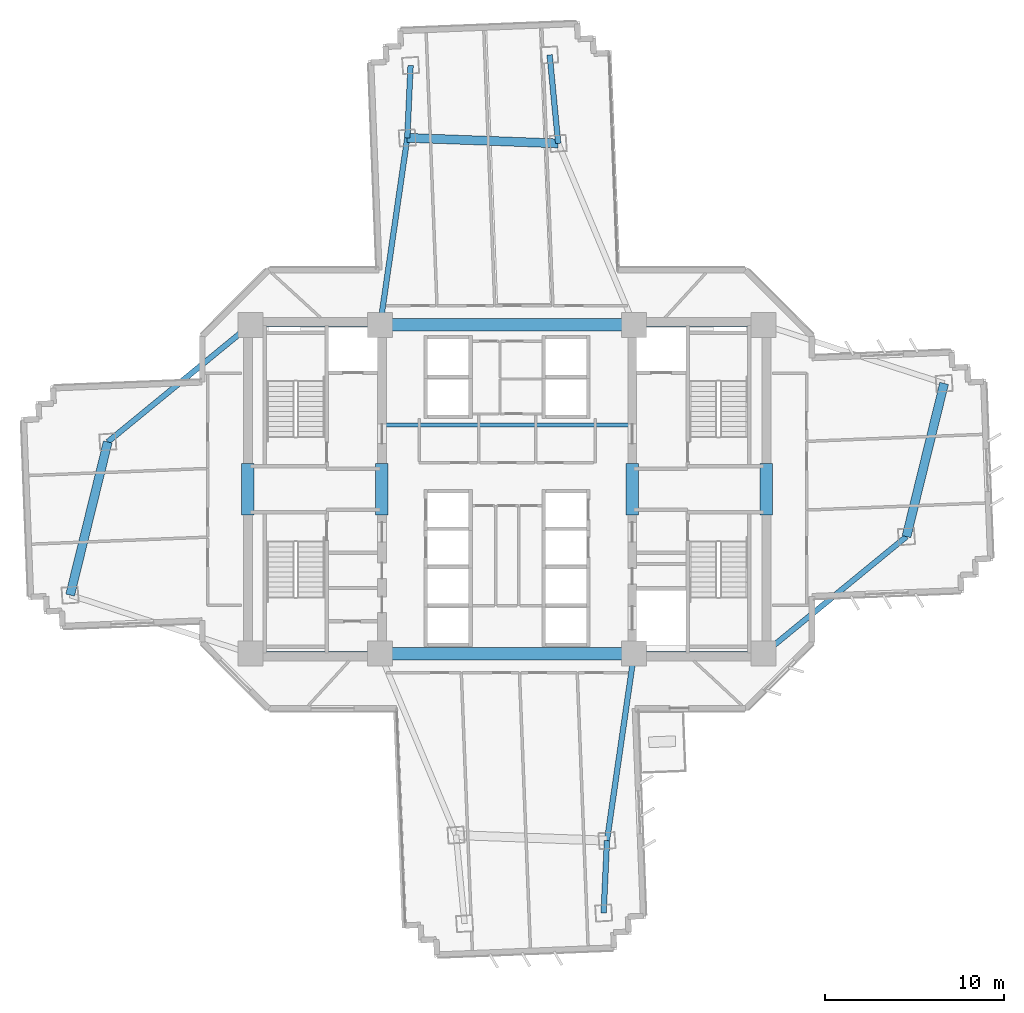
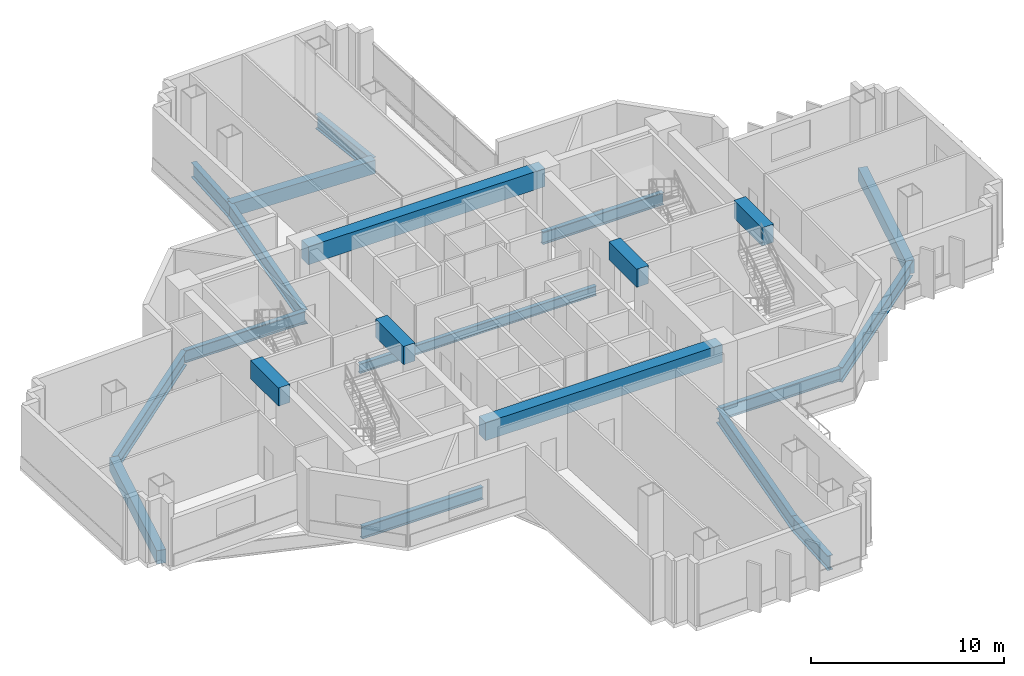
# One storey, part 3 of 16: 21 beams.
"""IFC4 building model written with IfcOpenShell, lengths in metres."""

from ifc_helpers import new_model, si_unit, direction, frame, origin, origin_2d, place, context, subcontext, project, spatial, rectangle, i_section, extrude, source, transform, mapped, material, material_profile, profile_set, type_object, element, save


model = new_model("IFC4")

# Units and contexts
model_context = context("Model", 3, precision=1e-05, world=origin(), true_north=direction((0.0, 1.0)))
body_context = subcontext(model_context, "Body", "Model", "MODEL_VIEW")
ifc_project = project(units=[si_unit("LENGTHUNIT", "METRE"), si_unit("AREAUNIT", "SQUARE_METRE"), si_unit("VOLUMEUNIT", "CUBIC_METRE"), si_unit("PLANEANGLEUNIT", "RADIAN"), si_unit("MASSUNIT", "GRAM", prefix="KILO")], contexts=[model_context])

# Site, building, storey
site_placement = place(None, origin())
site = spatial("IfcSite", under=ifc_project, at=site_placement, CompositionType="ELEMENT")
building_placement = place(site_placement, origin())
building = spatial("IfcBuilding", under=site, at=building_placement, Name="Zahravan Cultural Tower", CompositionType="ELEMENT")
storey_placement = place(building_placement, frame((0.0, 0.0, 54.300048828125)))
storey = spatial("IfcBuildingStorey", under=building, at=storey_placement, Name="L11", CompositionType="ELEMENT", Elevation=54.300048828125)

# Beams
ifc_material_1 = material(Name="Concrete C50/60", Category="concrete")
ifc_material_profile_1 = material_profile(ifc_material_1, rectangle(XDim=0.699951171875, YDim=1.14990234375, at=origin_2d()), Name="RC700X1150")
ifc_profile_set_1 = profile_set([ifc_material_profile_1], Name="Concrete C50/60")
beam_type_1 = type_object("IfcBeamType", Name="BM-LN-RC700X1150", PredefinedType="LINTEL", material=ifc_profile_set_1)
shared_shape_1 = source(origin(), body_context, "Body", "SweptSolid", [
    extrude(rectangle(XDim=0.699951171875, YDim=1.14990234375, at=origin_2d()), origin(), (0.0, 0.0, 1.0), 14.2001953125),
])
for number, where, z_axis, x_axis, name in (
    (1, (28.89990234375, 17.800048828125, 3.375), (1.0, 0.0, 0.0), (0.0, 1.0, 0.0), "L11 Beam LN-L11-S"),
    (2, (28.89990234375, 36.199951171875, 3.375), (1.0, 0.0, 0.0), (0.0, 1.0, 0.0), "L11 Beam LN-L11-N"),
):
    element("IfcBeam", number, at=place(storey_placement, frame(where, z_axis=z_axis, x_axis=x_axis)), inside=storey, type_object=beam_type_1, Name=name, PredefinedType="LINTEL", context=body_context, shape_type="MappedRepresentation", body=[
        mapped(shared_shape_1, transform((0.0, 0.0, 0.0), x_axis=(1.0, 0.0, 0.0), y_axis=(0.0, 1.0, 0.0), z_axis=(0.0, 0.0, 1.0), scale=1.0)),
    ])
shared_shape_2 = source(origin(), body_context, "Body", "SweptSolid", [
    extrude(rectangle(XDim=0.699951171875, YDim=1.14990234375, at=origin_2d()), origin(), (0.0, 0.0, 1.0), 2.89990234375),
])
for number, where, z_axis, x_axis, name in (
    (3, (21.5, 25.550048828125, 3.375), (0.0, 1.0, 0.0), (-1.0, 0.0, 0.0), "L11 Beam LN-L11-PWW"),
    (4, (29.0, 25.550048828125, 3.375), (0.0, 1.0, 0.0), (-1.0, 0.0, 0.0), "L11 Beam LN-L11-PWE"),
    (5, (43.0, 25.550048828125, 3.375), (0.0, 1.0, 0.0), (-1.0, 0.0, 0.0), "L11 Beam LN-L11-PEW"),
    (6, (50.5, 25.550048828125, 3.375), (0.0, 1.0, 0.0), (-1.0, 0.0, 0.0), "L11 Beam LN-L11-PEE"),
):
    element("IfcBeam", number, at=place(storey_placement, frame(where, z_axis=z_axis, x_axis=x_axis)), inside=storey, type_object=beam_type_1, Name=name, PredefinedType="LINTEL", context=body_context, shape_type="MappedRepresentation", body=[
        mapped(shared_shape_2, transform((0.0, 0.0, 0.0), x_axis=(1.0, 0.0, 0.0), y_axis=(0.0, 1.0, 0.0), z_axis=(0.0, 0.0, 1.0), scale=1.0)),
    ])
ifc_material_2 = material(Name="Steel ASTM A992 Grade 50", Category="steel")
ifc_material_profile_2 = material_profile(ifc_material_2, i_section(OverallWidth=0.26611328125, OverallDepth=0.780029296875, WebThickness=0.0166015625, FlangeThickness=0.030029296875, FilletRadius=0.01904296875, at=origin_2d()), Name="W30X148")
ifc_profile_set_2 = profile_set([ifc_material_profile_2], Name="Steel ASTM A992 Grade 50")
beam_type_2 = type_object("IfcBeamType", Name="BM-G-W30X148", PredefinedType="BEAM", material=ifc_profile_set_2)
shared_shape_3 = source(origin(), body_context, "Body", "SweptSolid", [
    extrude(i_section(OverallWidth=0.26611328125, OverallDepth=0.780029296875, WebThickness=0.0166015625, FlangeThickness=0.030029296875, FilletRadius=0.01904296875, at=origin_2d()), origin(), (0.0, 0.0, 1.0), 7.25),
])
for number, where, z_axis, x_axis, name in (
    (7, (21.64990234375, 17.800048828125, -0.64013671875), (1.0, 0.0, 0.0), (0.0, 1.0, 0.0), "L11 Beam BG-L11-01"),
    (8, (21.64990234375, 36.199951171875, -0.64013671875), (1.0, 0.0, 0.0), (0.0, 1.0, 0.0), "L11 Beam BG-L11-02"),
    (9, (43.10009765625, 17.800048828125, -0.64013671875), (1.0, 0.0, 0.0), (0.0, 1.0, 0.0), "L11 Beam BG-L11-04"),
    (10, (43.10009765625, 36.199951171875, -0.64013671875), (1.0, 0.0, 0.0), (0.0, 1.0, 0.0), "L11 Beam BG-L11-05"),
):
    element("IfcBeam", number, at=place(storey_placement, frame(where, z_axis=z_axis, x_axis=x_axis)), inside=storey, type_object=beam_type_2, Name=name, PredefinedType="BEAM", context=body_context, shape_type="MappedRepresentation", body=[
        mapped(shared_shape_3, transform((0.0, 0.0, 0.0), x_axis=(1.0, 0.0, 0.0), y_axis=(0.0, 1.0, 0.0), z_axis=(0.0, 0.0, 1.0), scale=1.0)),
    ])
ifc_material_profile_3 = material_profile(ifc_material_2, i_section(OverallWidth=0.30908203125, OverallDepth=0.931884765625, WebThickness=0.02099609375, FlangeThickness=0.034423828125, FilletRadius=0.02392578125, at=origin_2d()), Name="W36X210")
ifc_profile_set_3 = profile_set([ifc_material_profile_3], Name="Steel ASTM A992 Grade 50")
beam_type_3 = type_object("IfcBeamType", Name="BM-G-W36X210", PredefinedType="BEAM", material=ifc_profile_set_3)
shared_shape_4 = source(origin(), body_context, "Body", "SweptSolid", [
    extrude(i_section(OverallWidth=0.30908203125, OverallDepth=0.931884765625, WebThickness=0.02099609375, FlangeThickness=0.034423828125, FilletRadius=0.02392578125, at=origin_2d()), origin(), (0.0, 0.0, 1.0), 10.5673828125),
])
for number, where, z_axis, x_axis, name in (
    (11, (43.10009765625, 17.800048828125, -0.716064453125), (-0.143377913539, -0.989668011966, 0.0), (0.989668011966, -0.143377913539, 0.0), "L11 Beam BG-L11-09"),
    (12, (28.89990234375, 36.199951171875, -0.716064453125), (0.143377913539, 0.989668011966, 0.0), (-0.989668011966, 0.143377913539, 0.0), "L11 Beam BG-L11-13"),
):
    element("IfcBeam", number, at=place(storey_placement, frame(where, z_axis=z_axis, x_axis=x_axis)), inside=storey, type_object=beam_type_3, Name=name, PredefinedType="BEAM", context=body_context, shape_type="MappedRepresentation", body=[
        mapped(shared_shape_4, transform((0.0, 0.0, 0.0), x_axis=(1.0, 0.0, 0.0), y_axis=(0.0, 1.0, 0.0), z_axis=(0.0, 0.0, 1.0), scale=1.0)),
    ])
shared_shape_5 = source(origin(), body_context, "Body", "SweptSolid", [
    extrude(i_section(OverallWidth=0.30908203125, OverallDepth=0.931884765625, WebThickness=0.02099609375, FlangeThickness=0.034423828125, FilletRadius=0.02392578125, at=origin_2d()), origin(), (0.0, 0.0, 1.0), 10.33203125),
])
for number, where, z_axis, x_axis, name in (
    (13, (50.35009765625, 17.800048828125, -0.716064453125), (0.773231409473, 0.634123952713, 0.0), (-0.634123952713, 0.773231409473, 0.0), "L11 Beam BG-L11-10"),
    (14, (21.64990234375, 36.199951171875, -0.716064453125), (-0.773231409473, -0.634123952713, 0.0), (0.634123952713, -0.773231409473, 0.0), "L11 Beam BG-L11-14"),
):
    element("IfcBeam", number, at=place(storey_placement, frame(where, z_axis=z_axis, x_axis=x_axis)), inside=storey, type_object=beam_type_3, Name=name, PredefinedType="BEAM", context=body_context, shape_type="MappedRepresentation", body=[
        mapped(shared_shape_5, transform((0.0, 0.0, 0.0), x_axis=(1.0, 0.0, 0.0), y_axis=(0.0, 1.0, 0.0), z_axis=(0.0, 0.0, 1.0), scale=1.0)),
    ])
shared_shape_6 = source(origin(), body_context, "Body", "SweptSolid", [
    extrude(i_section(OverallWidth=0.30908203125, OverallDepth=0.931884765625, WebThickness=0.02099609375, FlangeThickness=0.034423828125, FilletRadius=0.02392578125, at=origin_2d()), origin(), (0.0, 0.0, 1.0), 4.973876953125),
])
beam_1_placement = place(storey_placement, frame((38.857421875, 46.346435546875, -0.716064453125), z_axis=(-0.096154779131, 0.995366394073, 0.0), x_axis=(-0.995366394073, -0.096154779131, 0.0)))
element("IfcBeam", 15, at=beam_1_placement, inside=storey, type_object=beam_type_3, Name="L11 Beam BG-L11-15", PredefinedType="BEAM", context=body_context, shape_type="MappedRepresentation", body=[
    mapped(shared_shape_6, transform((0.0, 0.0, 0.0), x_axis=(1.0, 0.0, 0.0), y_axis=(0.0, 1.0, 0.0), z_axis=(0.0, 0.0, 1.0), scale=1.0)),
])
shared_shape_7 = source(origin(), body_context, "Body", "SweptSolid", [
    extrude(i_section(OverallWidth=0.30908203125, OverallDepth=0.931884765625, WebThickness=0.02099609375, FlangeThickness=0.034423828125, FilletRadius=0.02392578125, at=origin_2d()), origin(), (0.0, 0.0, 1.0), 4.0537109375),
])
for number, where, z_axis, x_axis, name in (
    (16, (30.4150390625, 46.658203125, -0.716064453125), (0.045770994677, 0.998951958828, 0.0), (-0.998951958828, 0.045770994677, 0.0), "L11 Beam BG-L11-16"),
    (17, (41.5849609375, 7.341796875, -0.716064453125), (-0.045770994677, -0.998951958828, 0.0), (0.998951958828, -0.045770994677, 0.0), "L11 Beam BG-L11-18"),
):
    element("IfcBeam", number, at=place(storey_placement, frame(where, z_axis=z_axis, x_axis=x_axis)), inside=storey, type_object=beam_type_3, Name=name, PredefinedType="BEAM", context=body_context, shape_type="MappedRepresentation", body=[
        mapped(shared_shape_7, transform((0.0, 0.0, 0.0), x_axis=(1.0, 0.0, 0.0), y_axis=(0.0, 1.0, 0.0), z_axis=(0.0, 0.0, 1.0), scale=1.0)),
    ])
ifc_material_profile_4 = material_profile(ifc_material_1, rectangle(XDim=0.5, YDim=0.85009765625, at=origin_2d()), Name="RC500X850")
ifc_profile_set_4 = profile_set([ifc_material_profile_4], Name="Concrete C50/60")
beam_type_4 = type_object("IfcBeamType", Name="BM-SP-RC500X850", PredefinedType="SPANDREL", material=ifc_profile_set_4)
shared_shape_8 = source(origin(), body_context, "Body", "SweptSolid", [
    extrude(rectangle(XDim=0.5, YDim=0.85009765625, at=origin_2d()), origin(), (0.0, 0.0, 1.0), 8.4482421875),
])
beam_2_placement = place(storey_placement, frame((38.857421875, 46.346435546875, -0.675048828125), z_axis=(-0.999318826256, 0.036903705643, 0.0), x_axis=(-0.036903705643, -0.999318826256, 0.0)))
element("IfcBeam", 18, at=beam_2_placement, inside=storey, type_object=beam_type_4, Name="L11 Beam SP-L11-21", PredefinedType="SPANDREL", context=body_context, shape_type="MappedRepresentation", body=[
    mapped(shared_shape_8, transform((0.0, 0.0, 0.0), x_axis=(1.0, 0.0, 0.0), y_axis=(0.0, 1.0, 0.0), z_axis=(0.0, 0.0, 1.0), scale=1.0)),
])
shared_shape_9 = source(origin(), body_context, "Body", "SweptSolid", [
    extrude(rectangle(XDim=0.5, YDim=0.85009765625, at=origin_2d()), origin(), (0.0, 0.0, 1.0), 8.8232421875),
])
for number, where, z_axis, x_axis, name in (
    (19, (58.339111328125, 24.351806640625, -0.675048828125), (0.238848860516, 0.971056755206, 0.0), (-0.971056755206, 0.238848860516, 0.0), "L11 Beam SP-L11-20"),
    (20, (13.660888671875, 29.648193359375, -0.675048828125), (-0.238848860516, -0.971056755206, 0.0), (0.971056755206, -0.238848860516, 0.0), "L11 Beam SP-L11-22"),
):
    element("IfcBeam", number, at=place(storey_placement, frame(where, z_axis=z_axis, x_axis=x_axis)), inside=storey, type_object=beam_type_4, Name=name, PredefinedType="SPANDREL", context=body_context, shape_type="MappedRepresentation", body=[
        mapped(shared_shape_9, transform((0.0, 0.0, 0.0), x_axis=(1.0, 0.0, 0.0), y_axis=(0.0, 1.0, 0.0), z_axis=(0.0, 0.0, 1.0), scale=1.0)),
    ])
ifc_material_profile_5 = material_profile(ifc_material_2, i_section(OverallWidth=0.22802734375, OverallDepth=0.60302734375, WebThickness=0.010498046875, FlangeThickness=0.014892578125, FilletRadius=0.014892578125, at=origin_2d()), Name="W24X68")
ifc_profile_set_5 = profile_set([ifc_material_profile_5], Name="Steel ASTM A992 Grade 50")
beam_type_5 = type_object("IfcBeamType", Name="BM-J-W24X68", PredefinedType="JOIST", material=ifc_profile_set_5)
shared_shape_10 = source(origin(), body_context, "Body", "SweptSolid", [
    extrude(i_section(OverallWidth=0.22802734375, OverallDepth=0.60302734375, WebThickness=0.010498046875, FlangeThickness=0.014892578125, FilletRadius=0.014892578125, at=origin_2d()), origin(), (0.0, 0.0, 1.0), 14.2001953125),
])
beam_3_placement = place(storey_placement, frame((28.89990234375, 30.60009765625, -0.551513671875), z_axis=(1.0, 0.0, 0.0), x_axis=(0.0, 1.0, 0.0)))
element("IfcBeam", 21, at=beam_3_placement, inside=storey, type_object=beam_type_5, Name="L11 Beam BJ-L11-23", PredefinedType="JOIST", context=body_context, shape_type="MappedRepresentation", body=[
    mapped(shared_shape_10, transform((0.0, 0.0, 0.0), x_axis=(1.0, 0.0, 0.0), y_axis=(0.0, 1.0, 0.0), z_axis=(0.0, 0.0, 1.0), scale=1.0)),
])

save(model, "model.ifc")
